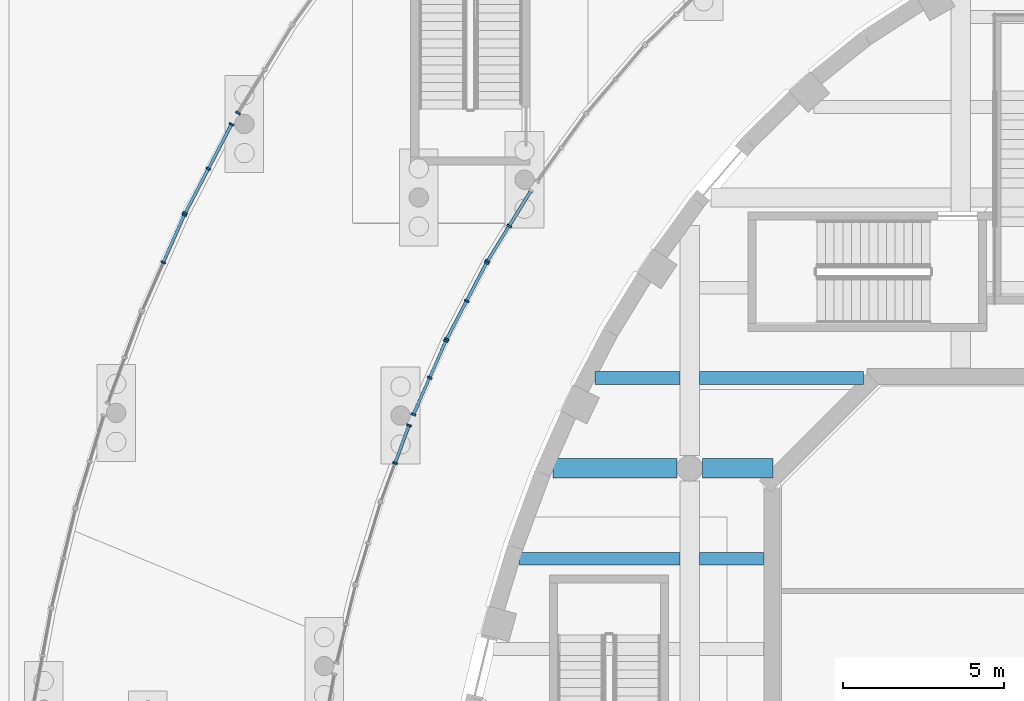
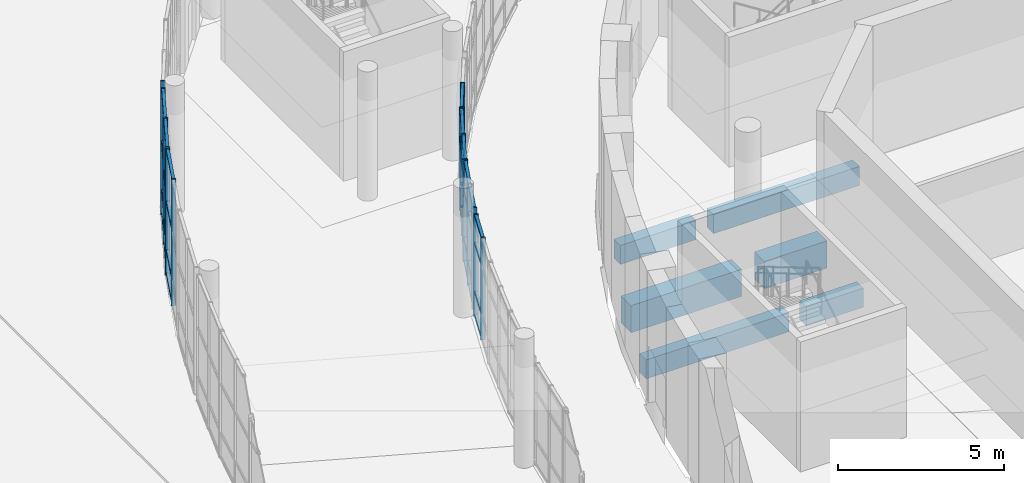
# One storey, part 27 of 110: 54 members, 6 beams, 7 elements without a shape of their own.
"""IFC4 building model written with IfcOpenShell, lengths in metres."""

from ifc_helpers import new_model, si_unit, direction, frame, origin, origin_2d, place, context, subcontext, project, spatial, rectangle, extrude, material, layer, layer_set, material_profile, profile_set, type_object, element, aggregate, save


model = new_model("IFC4")

# Units and contexts
model_context = context("Model", 3, precision=1e-05, world=origin(), true_north=direction((0.0, 1.0)))
body_context = subcontext(model_context, "Body", "Model", "MODEL_VIEW")
ifc_project = project(units=[si_unit("LENGTHUNIT", "METRE"), si_unit("AREAUNIT", "SQUARE_METRE"), si_unit("VOLUMEUNIT", "CUBIC_METRE"), si_unit("PLANEANGLEUNIT", "RADIAN"), si_unit("MASSUNIT", "GRAM", prefix="KILO")], contexts=[model_context])

# Site, building, storey
site_placement = place(None, origin())
site = spatial("IfcSite", under=ifc_project, at=site_placement, CompositionType="ELEMENT")
building_placement = place(site_placement, origin())
building = spatial("IfcBuilding", under=site, at=building_placement, Name="Larchfold Concert Hall", CompositionType="ELEMENT")
storey_placement = place(building_placement, origin())
storey = spatial("IfcBuildingStorey", under=building, at=storey_placement, Name="L00", CompositionType="ELEMENT", Elevation=0.0)

# Curtain wall, members
ifc_material_1 = material(Name="Anodised graphite aluminium curtain wall", Category="aluminium")
ifc_layer = layer(ifc_material_1, 0.14990234375)
ifc_layer_set = layer_set([ifc_layer], Name="Anodised graphite aluminium curtain wall")
curtain_wall_type = type_object("IfcCurtainWallType", Name="Curtain wall WG", PredefinedType="NOTDEFINED", material=ifc_layer_set)
curtain_wall_1_placement = place(storey_placement, origin())
curtain_wall_1 = element("IfcCurtainWall", 1, at=curtain_wall_1_placement, inside=storey, type_object=curtain_wall_type, Name="Curtain wall CW0077", PredefinedType="NOTDEFINED")
ifc_material_2 = material(Name="Anodised graphite aluminium mullion", Category="aluminium")
ifc_material_profile_1 = material_profile(ifc_material_2, rectangle(XDim=0.14990234375, YDim=0.06005859375, at=origin_2d()))
ifc_profile_set_1 = profile_set([ifc_material_profile_1], Name="Anodised graphite aluminium mullion")
member_type_1 = type_object("IfcMemberType", Name="Aluminium mullion 60x150", PredefinedType="MULLION", material=ifc_profile_set_1)
member_1_placement = place(storey_placement, frame((16.66357421875, 101.563232421875, 0.0), z_axis=(0.0, 0.0, 1.0), x_axis=(-0.938008664151, 0.346611808768, 0.0)))
member_1 = element("IfcMember", 2, at=member_1_placement, type_object=member_type_1, Name="CW0077 mullion 2", PredefinedType="MULLION", context=body_context, shape_type="SweptSolid", body=[
    extrude(rectangle(XDim=0.14990234375, YDim=0.06005859375, at=origin_2d()), origin(), (0.0, 0.0, 1.0), 3.75),
])
member_2_placement = place(storey_placement, frame((17.096435546875, 102.73486328125, 0.0), z_axis=(0.0, 0.0, 1.0), x_axis=(-0.938008664151, 0.346611808768, 0.0)))
member_2 = element("IfcMember", 3, at=member_2_placement, type_object=member_type_1, Name="CW0077 mullion 3", PredefinedType="MULLION", context=body_context, shape_type="SweptSolid", body=[
    extrude(rectangle(XDim=0.14990234375, YDim=0.06005859375, at=origin_2d()), origin(), (0.0, 0.0, 1.0), 3.75),
])

curtain_wall_2_placement = place(storey_placement, origin())
curtain_wall_2 = element("IfcCurtainWall", 4, at=curtain_wall_2_placement, inside=storey, type_object=curtain_wall_type, Name="Curtain wall CW0078", PredefinedType="NOTDEFINED")
member_3_placement = place(storey_placement, frame((17.234130859375, 103.072265625, 0.0), z_axis=(0.0, 0.0, 1.0), x_axis=(-0.914744172632, 0.404033536523, 0.0)))
member_3 = element("IfcMember", 5, at=member_3_placement, type_object=member_type_1, Name="CW0078 mullion 1", PredefinedType="MULLION", context=body_context, shape_type="SweptSolid", body=[
    extrude(rectangle(XDim=0.14990234375, YDim=0.06005859375, at=origin_2d()), origin(), (0.0, 0.0, 1.0), 3.75),
])
member_4_placement = place(storey_placement, frame((17.737548828125, 104.212158203125, 0.0), z_axis=(0.0, 0.0, 1.0), x_axis=(-0.914744172632, 0.404033536523, 0.0)))
member_4 = element("IfcMember", 6, at=member_4_placement, type_object=member_type_1, Name="CW0078 mullion 2", PredefinedType="MULLION", context=body_context, shape_type="SweptSolid", body=[
    extrude(rectangle(XDim=0.14990234375, YDim=0.06005859375, at=origin_2d()), origin(), (0.0, 0.0, 1.0), 3.75),
])
member_5_placement = place(storey_placement, frame((18.24072265625, 105.351806640625, 0.0), z_axis=(0.0, 0.0, 1.0), x_axis=(-0.914744172632, 0.404033536523, 0.0)))
member_5 = element("IfcMember", 7, at=member_5_placement, type_object=member_type_1, Name="CW0078 mullion 3", PredefinedType="MULLION", context=body_context, shape_type="SweptSolid", body=[
    extrude(rectangle(XDim=0.14990234375, YDim=0.06005859375, at=origin_2d()), origin(), (0.0, 0.0, 1.0), 3.75),
])

curtain_wall_3_placement = place(storey_placement, origin())
curtain_wall_3 = element("IfcCurtainWall", 8, at=curtain_wall_3_placement, inside=storey, type_object=curtain_wall_type, Name="Curtain wall CW0079", PredefinedType="NOTDEFINED")
member_6_placement = place(storey_placement, frame((18.266845703125, 105.40576171875, 0.0), z_axis=(0.0, 0.0, 1.0), x_axis=(-0.886259622766, 0.46318881793, 0.0)))
member_6 = element("IfcMember", 9, at=member_6_placement, type_object=member_type_1, Name="CW0079 mullion 1", PredefinedType="MULLION", context=body_context, shape_type="SweptSolid", body=[
    extrude(rectangle(XDim=0.14990234375, YDim=0.06005859375, at=origin_2d()), origin(), (0.0, 0.0, 1.0), 3.75),
])
member_7_placement = place(storey_placement, frame((18.8857421875, 106.58984375, 0.0), z_axis=(0.0, 0.0, 1.0), x_axis=(-0.886259622766, 0.46318881793, 0.0)))
member_7 = element("IfcMember", 10, at=member_7_placement, type_object=member_type_1, Name="CW0079 mullion 2", PredefinedType="MULLION", context=body_context, shape_type="SweptSolid", body=[
    extrude(rectangle(XDim=0.14990234375, YDim=0.06005859375, at=origin_2d()), origin(), (0.0, 0.0, 1.0), 3.75),
])
member_8_placement = place(storey_placement, frame((19.504638671875, 107.774169921875, 0.0), z_axis=(0.0, 0.0, 1.0), x_axis=(-0.886259622766, 0.46318881793, 0.0)))
member_8 = element("IfcMember", 11, at=member_8_placement, type_object=member_type_1, Name="CW0079 mullion 3", PredefinedType="MULLION", context=body_context, shape_type="SweptSolid", body=[
    extrude(rectangle(XDim=0.14990234375, YDim=0.06005859375, at=origin_2d()), origin(), (0.0, 0.0, 1.0), 3.75),
])

curtain_wall_4_placement = place(storey_placement, origin())
curtain_wall_4 = element("IfcCurtainWall", 12, at=curtain_wall_4_placement, inside=storey, type_object=curtain_wall_type, Name="Curtain wall CW0080", PredefinedType="NOTDEFINED")
member_9_placement = place(storey_placement, frame((19.5341796875, 107.826416015625, 0.0), z_axis=(0.0, 0.0, 1.0), x_axis=(-0.851655115363, 0.524102627808, 0.0)))
member_9 = element("IfcMember", 13, at=member_9_placement, type_object=member_type_1, Name="CW0080 mullion 1", PredefinedType="MULLION", context=body_context, shape_type="SweptSolid", body=[
    extrude(rectangle(XDim=0.14990234375, YDim=0.06005859375, at=origin_2d()), origin(), (0.0, 0.0, 1.0), 3.75),
])
member_10_placement = place(storey_placement, frame((20.20458984375, 108.915771484375, 0.0), z_axis=(0.0, 0.0, 1.0), x_axis=(-0.851655115363, 0.524102627808, 0.0)))
member_10 = element("IfcMember", 14, at=member_10_placement, type_object=member_type_1, Name="CW0080 mullion 2", PredefinedType="MULLION", context=body_context, shape_type="SweptSolid", body=[
    extrude(rectangle(XDim=0.14990234375, YDim=0.06005859375, at=origin_2d()), origin(), (0.0, 0.0, 1.0), 3.75),
])

# Curtain wall, member
curtain_wall_5_placement = place(storey_placement, origin())
curtain_wall_5 = element("IfcCurtainWall", 15, at=curtain_wall_5_placement, inside=storey, type_object=curtain_wall_type, Name="Curtain wall CW0109", PredefinedType="NOTDEFINED")
member_11_placement = place(storey_placement, frame((11.79345703125, 112.420166015625, 0.0), z_axis=(0.0, 0.0, 1.0), x_axis=(0.851668675828, -0.524080591715, 0.0)))
member_11 = element("IfcMember", 16, at=member_11_placement, type_object=member_type_1, Name="CW0109 mullion 3", PredefinedType="MULLION", context=body_context, shape_type="SweptSolid", body=[
    extrude(rectangle(XDim=0.14990234375, YDim=0.06005859375, at=origin_2d()), origin(), (0.0, 0.0, 1.0), 4.64990234375),
])
aggregate(curtain_wall_5, [member_11])

# Curtain wall, members
curtain_wall_6_placement = place(storey_placement, origin())
curtain_wall_6 = element("IfcCurtainWall", 17, at=curtain_wall_6_placement, inside=storey, type_object=curtain_wall_type, Name="Curtain wall CW0110", PredefinedType="NOTDEFINED")
member_12_placement = place(storey_placement, frame((11.5947265625, 112.070068359375, 0.0), z_axis=(0.0, 0.0, 1.0), x_axis=(0.886293671962, -0.463123662795, 0.0)))
member_12 = element("IfcMember", 18, at=member_12_placement, type_object=member_type_1, Name="CW0110 mullion 1", PredefinedType="MULLION", context=body_context, shape_type="SweptSolid", body=[
    extrude(rectangle(XDim=0.14990234375, YDim=0.06005859375, at=origin_2d()), origin(), (0.0, 0.0, 1.0), 4.64990234375),
])
member_13_placement = place(storey_placement, frame((10.874267578125, 110.69140625, 0.0), z_axis=(0.0, 0.0, 1.0), x_axis=(0.886293671962, -0.463123662795, 0.0)))
member_13 = element("IfcMember", 19, at=member_13_placement, type_object=member_type_1, Name="CW0110 mullion 2", PredefinedType="MULLION", context=body_context, shape_type="SweptSolid", body=[
    extrude(rectangle(XDim=0.14990234375, YDim=0.06005859375, at=origin_2d()), origin(), (0.0, 0.0, 1.0), 4.64990234375),
])
member_14_placement = place(storey_placement, frame((10.15380859375, 109.3125, 0.0), z_axis=(0.0, 0.0, 1.0), x_axis=(0.886293671962, -0.463123662795, 0.0)))
member_14 = element("IfcMember", 20, at=member_14_placement, type_object=member_type_1, Name="CW0110 mullion 3", PredefinedType="MULLION", context=body_context, shape_type="SweptSolid", body=[
    extrude(rectangle(XDim=0.14990234375, YDim=0.06005859375, at=origin_2d()), origin(), (0.0, 0.0, 1.0), 4.64990234375),
])

curtain_wall_7_placement = place(storey_placement, origin())
curtain_wall_7 = element("IfcCurtainWall", 21, at=curtain_wall_7_placement, inside=storey, type_object=curtain_wall_type, Name="Curtain wall CW0111", PredefinedType="NOTDEFINED")
member_15_placement = place(storey_placement, frame((10.127685546875, 109.258544921875, 0.0), z_axis=(0.0, 0.0, 1.0), x_axis=(0.914703196701, -0.404126294549, 0.0)))
member_15 = element("IfcMember", 22, at=member_15_placement, type_object=member_type_1, Name="CW0111 mullion 1", PredefinedType="MULLION", context=body_context, shape_type="SweptSolid", body=[
    extrude(rectangle(XDim=0.14990234375, YDim=0.06005859375, at=origin_2d()), origin(), (0.0, 0.0, 1.0), 4.64990234375),
])
member_16_placement = place(storey_placement, frame((9.475341796875, 107.78173828125, 0.0), z_axis=(0.0, 0.0, 1.0), x_axis=(0.914703196701, -0.404126294549, 0.0)))
member_16 = element("IfcMember", 23, at=member_16_placement, type_object=member_type_1, Name="CW0111 mullion 2", PredefinedType="MULLION", context=body_context, shape_type="SweptSolid", body=[
    extrude(rectangle(XDim=0.14990234375, YDim=0.06005859375, at=origin_2d()), origin(), (0.0, 0.0, 1.0), 4.64990234375),
])

# Member
ifc_material_3 = material(Name="Anodised graphite aluminium transom", Category="aluminium")
ifc_material_profile_2 = material_profile(ifc_material_3, rectangle(XDim=0.10009765625, YDim=0.080078125, at=origin_2d()))
ifc_profile_set_2 = profile_set([ifc_material_profile_2], Name="Anodised graphite aluminium transom")
member_type_2 = type_object("IfcMemberType", Name="Aluminium transom 80x100", PredefinedType="USERDEFINED", material=ifc_profile_set_2)
member_17_placement = place(storey_placement, frame((16.674072265625, 101.59130859375, 0.0400390625), z_axis=(0.346618720234, 0.938006110206, 0.0), x_axis=(-0.938006110206, 0.346618720234, 0.0)))
member_17 = element("IfcMember", 24, at=member_17_placement, type_object=member_type_2, Name="CW0077 transom 2.1", ObjectType="TRANSOM", PredefinedType="USERDEFINED", context=body_context, shape_type="SweptSolid", body=[
    extrude(rectangle(XDim=0.10009765625, YDim=0.080078125, at=origin_2d()), origin(), (0.0, 0.0, 1.0), 1.18896484375),
])

member_18_placement = place(storey_placement, frame((16.674072265625, 101.59130859375, 0.89990234375), z_axis=(0.346618720234, 0.938006110206, 0.0), x_axis=(-0.938006110206, 0.346618720234, 0.0)))
member_18 = element("IfcMember", 25, at=member_18_placement, type_object=member_type_2, Name="CW0077 transom 2.2", ObjectType="TRANSOM", PredefinedType="USERDEFINED", context=body_context, shape_type="SweptSolid", body=[
    extrude(rectangle(XDim=0.10009765625, YDim=0.080078125, at=origin_2d()), origin(), (0.0, 0.0, 1.0), 1.18896484375),
])

member_19_placement = place(storey_placement, frame((16.674072265625, 101.59130859375, 2.699951171875), z_axis=(0.346618720234, 0.938006110206, 0.0), x_axis=(-0.938006110206, 0.346618720234, 0.0)))
member_19 = element("IfcMember", 26, at=member_19_placement, type_object=member_type_2, Name="CW0077 transom 2.3", ObjectType="TRANSOM", PredefinedType="USERDEFINED", context=body_context, shape_type="SweptSolid", body=[
    extrude(rectangle(XDim=0.10009765625, YDim=0.080078125, at=origin_2d()), origin(), (0.0, 0.0, 1.0), 1.18896484375),
])

member_20_placement = place(storey_placement, frame((16.674072265625, 101.59130859375, 3.7099609375), z_axis=(0.346618720234, 0.938006110206, 0.0), x_axis=(-0.938006110206, 0.346618720234, 0.0)))
member_20 = element("IfcMember", 27, at=member_20_placement, type_object=member_type_2, Name="CW0077 transom 2.4", ObjectType="TRANSOM", PredefinedType="USERDEFINED", context=body_context, shape_type="SweptSolid", body=[
    extrude(rectangle(XDim=0.10009765625, YDim=0.080078125, at=origin_2d()), origin(), (0.0, 0.0, 1.0), 1.18896484375),
])

aggregate(curtain_wall_1, [member_1, member_2, member_17, member_18, member_19, member_20])

member_21_placement = place(storey_placement, frame((17.24609375, 103.099853515625, 0.0400390625), z_axis=(0.404131802437, 0.914700763233, 0.0), x_axis=(-0.914700763233, 0.404131802437, 0.0)))
member_21 = element("IfcMember", 28, at=member_21_placement, type_object=member_type_2, Name="CW0078 transom 1.1", ObjectType="TRANSOM", PredefinedType="USERDEFINED", context=body_context, shape_type="SweptSolid", body=[
    extrude(rectangle(XDim=0.10009765625, YDim=0.080078125, at=origin_2d()), origin(), (0.0, 0.0, 1.0), 1.185791015625),
])

member_22_placement = place(storey_placement, frame((17.24609375, 103.099853515625, 0.89990234375), z_axis=(0.404131802437, 0.914700763233, 0.0), x_axis=(-0.914700763233, 0.404131802437, 0.0)))
member_22 = element("IfcMember", 29, at=member_22_placement, type_object=member_type_2, Name="CW0078 transom 1.2", ObjectType="TRANSOM", PredefinedType="USERDEFINED", context=body_context, shape_type="SweptSolid", body=[
    extrude(rectangle(XDim=0.10009765625, YDim=0.080078125, at=origin_2d()), origin(), (0.0, 0.0, 1.0), 1.185791015625),
])

member_23_placement = place(storey_placement, frame((17.24609375, 103.099853515625, 2.699951171875), z_axis=(0.404131802437, 0.914700763233, 0.0), x_axis=(-0.914700763233, 0.404131802437, 0.0)))
member_23 = element("IfcMember", 30, at=member_23_placement, type_object=member_type_2, Name="CW0078 transom 1.3", ObjectType="TRANSOM", PredefinedType="USERDEFINED", context=body_context, shape_type="SweptSolid", body=[
    extrude(rectangle(XDim=0.10009765625, YDim=0.080078125, at=origin_2d()), origin(), (0.0, 0.0, 1.0), 1.185791015625),
])

member_24_placement = place(storey_placement, frame((17.24609375, 103.099853515625, 3.7099609375), z_axis=(0.404131802437, 0.914700763233, 0.0), x_axis=(-0.914700763233, 0.404131802437, 0.0)))
member_24 = element("IfcMember", 31, at=member_24_placement, type_object=member_type_2, Name="CW0078 transom 1.4", ObjectType="TRANSOM", PredefinedType="USERDEFINED", context=body_context, shape_type="SweptSolid", body=[
    extrude(rectangle(XDim=0.10009765625, YDim=0.080078125, at=origin_2d()), origin(), (0.0, 0.0, 1.0), 1.185791015625),
])

member_25_placement = place(storey_placement, frame((17.74951171875, 104.239501953125, 0.0400390625), z_axis=(0.404131802437, 0.914700763233, 0.0), x_axis=(-0.914700763233, 0.404131802437, 0.0)))
member_25 = element("IfcMember", 32, at=member_25_placement, type_object=member_type_2, Name="CW0078 transom 2.1", ObjectType="TRANSOM", PredefinedType="USERDEFINED", context=body_context, shape_type="SweptSolid", body=[
    extrude(rectangle(XDim=0.10009765625, YDim=0.080078125, at=origin_2d()), origin(), (0.0, 0.0, 1.0), 1.185791015625),
])

member_26_placement = place(storey_placement, frame((17.74951171875, 104.239501953125, 0.89990234375), z_axis=(0.404131802437, 0.914700763233, 0.0), x_axis=(-0.914700763233, 0.404131802437, 0.0)))
member_26 = element("IfcMember", 33, at=member_26_placement, type_object=member_type_2, Name="CW0078 transom 2.2", ObjectType="TRANSOM", PredefinedType="USERDEFINED", context=body_context, shape_type="SweptSolid", body=[
    extrude(rectangle(XDim=0.10009765625, YDim=0.080078125, at=origin_2d()), origin(), (0.0, 0.0, 1.0), 1.185791015625),
])

member_27_placement = place(storey_placement, frame((17.74951171875, 104.239501953125, 2.699951171875), z_axis=(0.404131802437, 0.914700763233, 0.0), x_axis=(-0.914700763233, 0.404131802437, 0.0)))
member_27 = element("IfcMember", 34, at=member_27_placement, type_object=member_type_2, Name="CW0078 transom 2.3", ObjectType="TRANSOM", PredefinedType="USERDEFINED", context=body_context, shape_type="SweptSolid", body=[
    extrude(rectangle(XDim=0.10009765625, YDim=0.080078125, at=origin_2d()), origin(), (0.0, 0.0, 1.0), 1.185791015625),
])

member_28_placement = place(storey_placement, frame((17.74951171875, 104.239501953125, 3.7099609375), z_axis=(0.404131802437, 0.914700763233, 0.0), x_axis=(-0.914700763233, 0.404131802437, 0.0)))
member_28 = element("IfcMember", 35, at=member_28_placement, type_object=member_type_2, Name="CW0078 transom 2.4", ObjectType="TRANSOM", PredefinedType="USERDEFINED", context=body_context, shape_type="SweptSolid", body=[
    extrude(rectangle(XDim=0.10009765625, YDim=0.080078125, at=origin_2d()), origin(), (0.0, 0.0, 1.0), 1.185791015625),
])

aggregate(curtain_wall_2, [member_3, member_4, member_5, member_21, member_22, member_23, member_24, member_25, member_26, member_27, member_28])

member_29_placement = place(storey_placement, frame((18.28076171875, 105.432373046875, 0.0400390625), z_axis=(0.463134691808, 0.886287908777, 0.0), x_axis=(-0.886287908777, 0.463134691808, 0.0)))
member_29 = element("IfcMember", 36, at=member_29_placement, type_object=member_type_2, Name="CW0079 transom 1.1", ObjectType="TRANSOM", PredefinedType="USERDEFINED", context=body_context, shape_type="SweptSolid", body=[
    extrude(rectangle(XDim=0.10009765625, YDim=0.080078125, at=origin_2d()), origin(), (0.0, 0.0, 1.0), 1.276123046875),
])

member_30_placement = place(storey_placement, frame((18.28076171875, 105.432373046875, 0.89990234375), z_axis=(0.463134691808, 0.886287908777, 0.0), x_axis=(-0.886287908777, 0.463134691808, 0.0)))
member_30 = element("IfcMember", 37, at=member_30_placement, type_object=member_type_2, Name="CW0079 transom 1.2", ObjectType="TRANSOM", PredefinedType="USERDEFINED", context=body_context, shape_type="SweptSolid", body=[
    extrude(rectangle(XDim=0.10009765625, YDim=0.080078125, at=origin_2d()), origin(), (0.0, 0.0, 1.0), 1.276123046875),
])

member_31_placement = place(storey_placement, frame((18.28076171875, 105.432373046875, 2.699951171875), z_axis=(0.463134691808, 0.886287908777, 0.0), x_axis=(-0.886287908777, 0.463134691808, 0.0)))
member_31 = element("IfcMember", 38, at=member_31_placement, type_object=member_type_2, Name="CW0079 transom 1.3", ObjectType="TRANSOM", PredefinedType="USERDEFINED", context=body_context, shape_type="SweptSolid", body=[
    extrude(rectangle(XDim=0.10009765625, YDim=0.080078125, at=origin_2d()), origin(), (0.0, 0.0, 1.0), 1.276123046875),
])

member_32_placement = place(storey_placement, frame((18.28076171875, 105.432373046875, 3.7099609375), z_axis=(0.463134691808, 0.886287908777, 0.0), x_axis=(-0.886287908777, 0.463134691808, 0.0)))
member_32 = element("IfcMember", 39, at=member_32_placement, type_object=member_type_2, Name="CW0079 transom 1.4", ObjectType="TRANSOM", PredefinedType="USERDEFINED", context=body_context, shape_type="SweptSolid", body=[
    extrude(rectangle(XDim=0.10009765625, YDim=0.080078125, at=origin_2d()), origin(), (0.0, 0.0, 1.0), 1.276123046875),
])

member_33_placement = place(storey_placement, frame((18.899658203125, 106.616455078125, 0.0400390625), z_axis=(0.463134691808, 0.886287908777, 0.0), x_axis=(-0.886287908777, 0.463134691808, 0.0)))
member_33 = element("IfcMember", 40, at=member_33_placement, type_object=member_type_2, Name="CW0079 transom 2.1", ObjectType="TRANSOM", PredefinedType="USERDEFINED", context=body_context, shape_type="SweptSolid", body=[
    extrude(rectangle(XDim=0.10009765625, YDim=0.080078125, at=origin_2d()), origin(), (0.0, 0.0, 1.0), 1.276123046875),
])

member_34_placement = place(storey_placement, frame((18.899658203125, 106.616455078125, 0.89990234375), z_axis=(0.463134691808, 0.886287908777, 0.0), x_axis=(-0.886287908777, 0.463134691808, 0.0)))
member_34 = element("IfcMember", 41, at=member_34_placement, type_object=member_type_2, Name="CW0079 transom 2.2", ObjectType="TRANSOM", PredefinedType="USERDEFINED", context=body_context, shape_type="SweptSolid", body=[
    extrude(rectangle(XDim=0.10009765625, YDim=0.080078125, at=origin_2d()), origin(), (0.0, 0.0, 1.0), 1.276123046875),
])

member_35_placement = place(storey_placement, frame((18.899658203125, 106.616455078125, 2.699951171875), z_axis=(0.463134691808, 0.886287908777, 0.0), x_axis=(-0.886287908777, 0.463134691808, 0.0)))
member_35 = element("IfcMember", 42, at=member_35_placement, type_object=member_type_2, Name="CW0079 transom 2.3", ObjectType="TRANSOM", PredefinedType="USERDEFINED", context=body_context, shape_type="SweptSolid", body=[
    extrude(rectangle(XDim=0.10009765625, YDim=0.080078125, at=origin_2d()), origin(), (0.0, 0.0, 1.0), 1.276123046875),
])

member_36_placement = place(storey_placement, frame((18.899658203125, 106.616455078125, 3.7099609375), z_axis=(0.463134691808, 0.886287908777, 0.0), x_axis=(-0.886287908777, 0.463134691808, 0.0)))
member_36 = element("IfcMember", 43, at=member_36_placement, type_object=member_type_2, Name="CW0079 transom 2.4", ObjectType="TRANSOM", PredefinedType="USERDEFINED", context=body_context, shape_type="SweptSolid", body=[
    extrude(rectangle(XDim=0.10009765625, YDim=0.080078125, at=origin_2d()), origin(), (0.0, 0.0, 1.0), 1.276123046875),
])

aggregate(curtain_wall_3, [member_6, member_7, member_8, member_29, member_30, member_31, member_32, member_33, member_34, member_35, member_36])

member_37_placement = place(storey_placement, frame((19.550048828125, 107.851806640625, 0.0400390625), z_axis=(0.5240639064, 0.851678943034, 0.0), x_axis=(-0.851678943034, 0.5240639064, 0.0)))
member_37 = element("IfcMember", 44, at=member_37_placement, type_object=member_type_2, Name="CW0080 transom 1.1", ObjectType="TRANSOM", PredefinedType="USERDEFINED", context=body_context, shape_type="SweptSolid", body=[
    extrude(rectangle(XDim=0.10009765625, YDim=0.080078125, at=origin_2d()), origin(), (0.0, 0.0, 1.0), 1.21923828125),
])

member_38_placement = place(storey_placement, frame((19.550048828125, 107.851806640625, 0.89990234375), z_axis=(0.5240639064, 0.851678943034, 0.0), x_axis=(-0.851678943034, 0.5240639064, 0.0)))
member_38 = element("IfcMember", 45, at=member_38_placement, type_object=member_type_2, Name="CW0080 transom 1.2", ObjectType="TRANSOM", PredefinedType="USERDEFINED", context=body_context, shape_type="SweptSolid", body=[
    extrude(rectangle(XDim=0.10009765625, YDim=0.080078125, at=origin_2d()), origin(), (0.0, 0.0, 1.0), 1.21923828125),
])

member_39_placement = place(storey_placement, frame((19.550048828125, 107.851806640625, 2.699951171875), z_axis=(0.5240639064, 0.851678943034, 0.0), x_axis=(-0.851678943034, 0.5240639064, 0.0)))
member_39 = element("IfcMember", 46, at=member_39_placement, type_object=member_type_2, Name="CW0080 transom 1.3", ObjectType="TRANSOM", PredefinedType="USERDEFINED", context=body_context, shape_type="SweptSolid", body=[
    extrude(rectangle(XDim=0.10009765625, YDim=0.080078125, at=origin_2d()), origin(), (0.0, 0.0, 1.0), 1.21923828125),
])

member_40_placement = place(storey_placement, frame((19.550048828125, 107.851806640625, 3.7099609375), z_axis=(0.5240639064, 0.851678943034, 0.0), x_axis=(-0.851678943034, 0.5240639064, 0.0)))
member_40 = element("IfcMember", 47, at=member_40_placement, type_object=member_type_2, Name="CW0080 transom 1.4", ObjectType="TRANSOM", PredefinedType="USERDEFINED", context=body_context, shape_type="SweptSolid", body=[
    extrude(rectangle(XDim=0.10009765625, YDim=0.080078125, at=origin_2d()), origin(), (0.0, 0.0, 1.0), 1.21923828125),
])

member_41_placement = place(storey_placement, frame((20.220458984375, 108.94140625, 0.0400390625), z_axis=(0.5240639064, 0.851678943034, 0.0), x_axis=(-0.851678943034, 0.5240639064, 0.0)))
member_41 = element("IfcMember", 48, at=member_41_placement, type_object=member_type_2, Name="CW0080 transom 2.1", ObjectType="TRANSOM", PredefinedType="USERDEFINED", context=body_context, shape_type="SweptSolid", body=[
    extrude(rectangle(XDim=0.10009765625, YDim=0.080078125, at=origin_2d()), origin(), (0.0, 0.0, 1.0), 1.21923828125),
])

member_42_placement = place(storey_placement, frame((20.220458984375, 108.94140625, 0.89990234375), z_axis=(0.5240639064, 0.851678943034, 0.0), x_axis=(-0.851678943034, 0.5240639064, 0.0)))
member_42 = element("IfcMember", 49, at=member_42_placement, type_object=member_type_2, Name="CW0080 transom 2.2", ObjectType="TRANSOM", PredefinedType="USERDEFINED", context=body_context, shape_type="SweptSolid", body=[
    extrude(rectangle(XDim=0.10009765625, YDim=0.080078125, at=origin_2d()), origin(), (0.0, 0.0, 1.0), 1.21923828125),
])

aggregate(curtain_wall_4, [member_9, member_10, member_37, member_38, member_39, member_40, member_41, member_42])

member_43_placement = place(storey_placement, frame((11.580810546875, 112.04345703125, 0.0400390625), z_axis=(-0.463073557988, -0.886319851912, 0.0), x_axis=(0.886319851912, -0.463073557988, 0.0)))
member_43 = element("IfcMember", 50, at=member_43_placement, type_object=member_type_2, Name="CW0110 transom 1.1", ObjectType="TRANSOM", PredefinedType="USERDEFINED", context=body_context, shape_type="SweptSolid", body=[
    extrude(rectangle(XDim=0.10009765625, YDim=0.080078125, at=origin_2d()), origin(), (0.0, 0.0, 1.0), 1.49560546875),
])

member_44_placement = place(storey_placement, frame((11.580810546875, 112.04345703125, 0.89990234375), z_axis=(-0.463073557988, -0.886319851912, 0.0), x_axis=(0.886319851912, -0.463073557988, 0.0)))
member_44 = element("IfcMember", 51, at=member_44_placement, type_object=member_type_2, Name="CW0110 transom 1.2", ObjectType="TRANSOM", PredefinedType="USERDEFINED", context=body_context, shape_type="SweptSolid", body=[
    extrude(rectangle(XDim=0.10009765625, YDim=0.080078125, at=origin_2d()), origin(), (0.0, 0.0, 1.0), 1.49560546875),
])

member_45_placement = place(storey_placement, frame((11.580810546875, 112.04345703125, 2.699951171875), z_axis=(-0.463073557988, -0.886319851912, 0.0), x_axis=(0.886319851912, -0.463073557988, 0.0)))
member_45 = element("IfcMember", 52, at=member_45_placement, type_object=member_type_2, Name="CW0110 transom 1.3", ObjectType="TRANSOM", PredefinedType="USERDEFINED", context=body_context, shape_type="SweptSolid", body=[
    extrude(rectangle(XDim=0.10009765625, YDim=0.080078125, at=origin_2d()), origin(), (0.0, 0.0, 1.0), 1.49560546875),
])

member_46_placement = place(storey_placement, frame((11.580810546875, 112.04345703125, 4.60986328125), z_axis=(-0.463073557988, -0.886319851912, 0.0), x_axis=(0.886319851912, -0.463073557988, 0.0)))
member_46 = element("IfcMember", 53, at=member_46_placement, type_object=member_type_2, Name="CW0110 transom 1.4", ObjectType="TRANSOM", PredefinedType="USERDEFINED", context=body_context, shape_type="SweptSolid", body=[
    extrude(rectangle(XDim=0.10009765625, YDim=0.080078125, at=origin_2d()), origin(), (0.0, 0.0, 1.0), 1.49560546875),
])

member_47_placement = place(storey_placement, frame((10.8603515625, 110.664794921875, 0.0400390625), z_axis=(-0.463073557988, -0.886319851912, 0.0), x_axis=(0.886319851912, -0.463073557988, 0.0)))
member_47 = element("IfcMember", 54, at=member_47_placement, type_object=member_type_2, Name="CW0110 transom 2.1", ObjectType="TRANSOM", PredefinedType="USERDEFINED", context=body_context, shape_type="SweptSolid", body=[
    extrude(rectangle(XDim=0.10009765625, YDim=0.080078125, at=origin_2d()), origin(), (0.0, 0.0, 1.0), 1.49560546875),
])

member_48_placement = place(storey_placement, frame((10.8603515625, 110.664794921875, 0.89990234375), z_axis=(-0.463073557988, -0.886319851912, 0.0), x_axis=(0.886319851912, -0.463073557988, 0.0)))
member_48 = element("IfcMember", 55, at=member_48_placement, type_object=member_type_2, Name="CW0110 transom 2.2", ObjectType="TRANSOM", PredefinedType="USERDEFINED", context=body_context, shape_type="SweptSolid", body=[
    extrude(rectangle(XDim=0.10009765625, YDim=0.080078125, at=origin_2d()), origin(), (0.0, 0.0, 1.0), 1.49560546875),
])

member_49_placement = place(storey_placement, frame((10.8603515625, 110.664794921875, 2.699951171875), z_axis=(-0.463073557988, -0.886319851912, 0.0), x_axis=(0.886319851912, -0.463073557988, 0.0)))
member_49 = element("IfcMember", 56, at=member_49_placement, type_object=member_type_2, Name="CW0110 transom 2.3", ObjectType="TRANSOM", PredefinedType="USERDEFINED", context=body_context, shape_type="SweptSolid", body=[
    extrude(rectangle(XDim=0.10009765625, YDim=0.080078125, at=origin_2d()), origin(), (0.0, 0.0, 1.0), 1.49560546875),
])

member_50_placement = place(storey_placement, frame((10.8603515625, 110.664794921875, 4.60986328125), z_axis=(-0.463073557988, -0.886319851912, 0.0), x_axis=(0.886319851912, -0.463073557988, 0.0)))
member_50 = element("IfcMember", 57, at=member_50_placement, type_object=member_type_2, Name="CW0110 transom 2.4", ObjectType="TRANSOM", PredefinedType="USERDEFINED", context=body_context, shape_type="SweptSolid", body=[
    extrude(rectangle(XDim=0.10009765625, YDim=0.080078125, at=origin_2d()), origin(), (0.0, 0.0, 1.0), 1.49560546875),
])

aggregate(curtain_wall_6, [member_12, member_13, member_14, member_43, member_44, member_45, member_46, member_47, member_48, member_49, member_50])

member_51_placement = place(storey_placement, frame((10.11572265625, 109.23095703125, 0.0400390625), z_axis=(-0.404111897501, -0.914709557345, 0.0), x_axis=(0.914709557345, -0.404111897501, 0.0)))
member_51 = element("IfcMember", 58, at=member_51_placement, type_object=member_type_2, Name="CW0111 transom 1.1", ObjectType="TRANSOM", PredefinedType="USERDEFINED", context=body_context, shape_type="SweptSolid", body=[
    extrude(rectangle(XDim=0.10009765625, YDim=0.080078125, at=origin_2d()), origin(), (0.0, 0.0, 1.0), 1.554443359375),
])

member_52_placement = place(storey_placement, frame((10.11572265625, 109.23095703125, 0.89990234375), z_axis=(-0.404111897501, -0.914709557345, 0.0), x_axis=(0.914709557345, -0.404111897501, 0.0)))
member_52 = element("IfcMember", 59, at=member_52_placement, type_object=member_type_2, Name="CW0111 transom 1.2", ObjectType="TRANSOM", PredefinedType="USERDEFINED", context=body_context, shape_type="SweptSolid", body=[
    extrude(rectangle(XDim=0.10009765625, YDim=0.080078125, at=origin_2d()), origin(), (0.0, 0.0, 1.0), 1.554443359375),
])

member_53_placement = place(storey_placement, frame((10.11572265625, 109.23095703125, 2.699951171875), z_axis=(-0.404111897501, -0.914709557345, 0.0), x_axis=(0.914709557345, -0.404111897501, 0.0)))
member_53 = element("IfcMember", 60, at=member_53_placement, type_object=member_type_2, Name="CW0111 transom 1.3", ObjectType="TRANSOM", PredefinedType="USERDEFINED", context=body_context, shape_type="SweptSolid", body=[
    extrude(rectangle(XDim=0.10009765625, YDim=0.080078125, at=origin_2d()), origin(), (0.0, 0.0, 1.0), 1.554443359375),
])

member_54_placement = place(storey_placement, frame((10.11572265625, 109.23095703125, 4.60986328125), z_axis=(-0.404111897501, -0.914709557345, 0.0), x_axis=(0.914709557345, -0.404111897501, 0.0)))
member_54 = element("IfcMember", 61, at=member_54_placement, type_object=member_type_2, Name="CW0111 transom 1.4", ObjectType="TRANSOM", PredefinedType="USERDEFINED", context=body_context, shape_type="SweptSolid", body=[
    extrude(rectangle(XDim=0.10009765625, YDim=0.080078125, at=origin_2d()), origin(), (0.0, 0.0, 1.0), 1.554443359375),
])

aggregate(curtain_wall_7, [member_15, member_16, member_51, member_52, member_53, member_54])

# Beams
ifc_material_4 = material(Name="Concrete C35/45", Category="concrete")
ifc_material_profile_3 = material_profile(ifc_material_4, rectangle(XDim=0.39990234375, YDim=0.699951171875, at=origin_2d()))
ifc_profile_set_3 = profile_set([ifc_material_profile_3], Name="Concrete C35/45")
beam_type_1 = type_object("IfcBeamType", Name="Beam RC 400x700", PredefinedType="BEAM", material=ifc_profile_set_3)
beam_1_placement = place(storey_placement, frame((20.523681640625, 98.60009765625, -0.550048828125), z_axis=(1.0, 0.0, 0.0), x_axis=(0.0, 1.0, 0.0)))
element("IfcBeam", 62, at=beam_1_placement, inside=storey, type_object=beam_type_1, Name="Beam B1165", PredefinedType="BEAM", context=body_context, shape_type="SweptSolid", body=[
    extrude(rectangle(XDim=0.39990234375, YDim=0.699951171875, at=origin_2d()), origin(), (0.0, 0.0, 1.0), 4.976318359375),
])
beam_2_placement = place(storey_placement, frame((26.10009765625, 98.60009765625, -0.550048828125), z_axis=(1.0, 0.0, 0.0), x_axis=(0.0, 1.0, 0.0)))
element("IfcBeam", 63, at=beam_2_placement, inside=storey, type_object=beam_type_1, Name="Beam B1166", PredefinedType="BEAM", context=body_context, shape_type="SweptSolid", body=[
    extrude(rectangle(XDim=0.39990234375, YDim=0.699951171875, at=origin_2d()), origin(), (0.0, 0.0, 1.0), 1.989990234375),
])
beam_3_placement = place(storey_placement, frame((22.86083984375, 104.199951171875, -0.550048828125), z_axis=(1.0, 0.0, 0.0), x_axis=(0.0, 1.0, 0.0)))
element("IfcBeam", 64, at=beam_3_placement, inside=storey, type_object=beam_type_1, Name="Beam B1169", PredefinedType="BEAM", context=body_context, shape_type="SweptSolid", body=[
    extrude(rectangle(XDim=0.39990234375, YDim=0.699951171875, at=origin_2d()), origin(), (0.0, 0.0, 1.0), 2.63916015625),
])
beam_4_placement = place(storey_placement, frame((26.10009765625, 104.199951171875, -0.550048828125), z_axis=(1.0, 0.0, 0.0), x_axis=(0.0, 1.0, 0.0)))
element("IfcBeam", 65, at=beam_4_placement, inside=storey, type_object=beam_type_1, Name="Beam B1170", PredefinedType="BEAM", context=body_context, shape_type="SweptSolid", body=[
    extrude(rectangle(XDim=0.39990234375, YDim=0.699951171875, at=origin_2d()), origin(), (0.0, 0.0, 1.0), 5.085693359375),
])
ifc_material_5 = material(Name="Concrete C35/45", Category="concrete")
ifc_material_profile_4 = material_profile(ifc_material_5, rectangle(XDim=0.60009765625, YDim=1.0, at=origin_2d()))
ifc_profile_set_4 = profile_set([ifc_material_profile_4], Name="Concrete C35/45")
beam_type_2 = type_object("IfcBeamType", Name="Beam RC 600x1000", PredefinedType="BEAM", material=ifc_profile_set_4)
beam_5_placement = place(storey_placement, frame((21.556884765625, 101.39990234375, -0.699951171875), z_axis=(1.0, 0.0, 0.0), x_axis=(0.0, 1.0, 0.0)))
element("IfcBeam", 66, at=beam_5_placement, inside=storey, type_object=beam_type_2, Name="Beam B1128", PredefinedType="BEAM", context=body_context, shape_type="SweptSolid", body=[
    extrude(rectangle(XDim=0.60009765625, YDim=1.0, at=origin_2d()), origin(), (0.0, 0.0, 1.0), 3.8447265625),
])
beam_6_placement = place(storey_placement, frame((26.1982421875, 101.39990234375, -0.699951171875), z_axis=(1.0, 0.0, 0.0), x_axis=(0.0, 1.0, 0.0)))
element("IfcBeam", 67, at=beam_6_placement, inside=storey, type_object=beam_type_2, Name="Beam B1129", PredefinedType="BEAM", context=body_context, shape_type="SweptSolid", body=[
    extrude(rectangle(XDim=0.60009765625, YDim=1.0, at=origin_2d()), origin(), (0.0, 0.0, 1.0), 2.1875),
])

save(model, "model.ifc")
